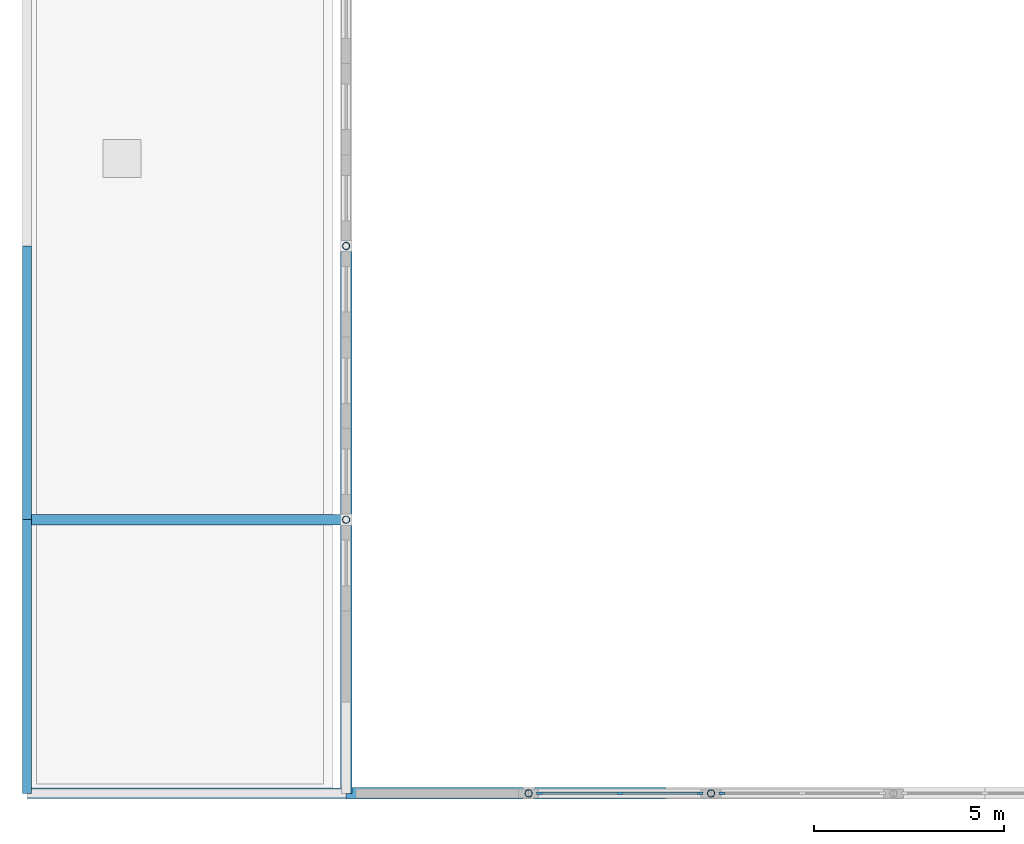
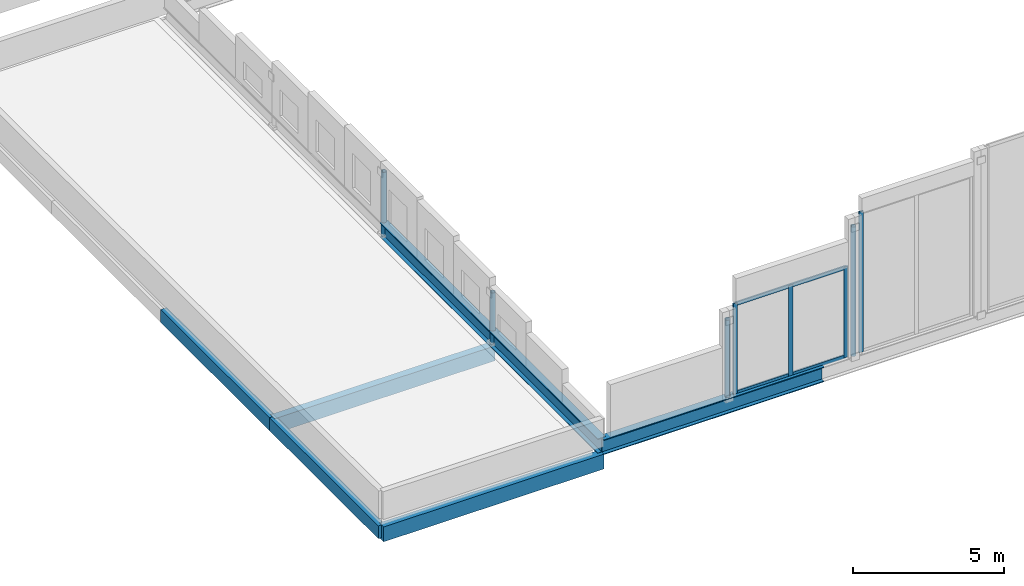
# One storey, part 2 of 34: 10 members, 7 beams, 2 elements without a shape of their own.
"""IFC4 building model written with IfcOpenShell, lengths in metres."""

from ifc_helpers import new_model, si_unit, direction, frame, origin, origin_2d, place, context, subcontext, project, spatial, rectangle, hollow_circle, i_section, extrude, material, material_profile, profile_set, type_object, element, aggregate, save


model = new_model("IFC4")

# Units and contexts
model_context = context("Model", 3, precision=1e-05, world=origin(), true_north=direction((0.0, 1.0)))
body_context = subcontext(model_context, "Body", "Model", "MODEL_VIEW")
ifc_project = project(units=[si_unit("LENGTHUNIT", "METRE"), si_unit("AREAUNIT", "SQUARE_METRE"), si_unit("VOLUMEUNIT", "CUBIC_METRE"), si_unit("PLANEANGLEUNIT", "RADIAN"), si_unit("MASSUNIT", "GRAM", prefix="KILO")], contexts=[model_context])

# Site, building, storey
site_placement = place(None, origin())
site = spatial("IfcSite", under=ifc_project, at=site_placement, CompositionType="ELEMENT")
building_placement = place(site_placement, origin())
building = spatial("IfcBuilding", under=site, at=building_placement, Name="Kahlenmark Community Centre", CompositionType="ELEMENT")
storey_placement = place(building_placement, frame((0.0, 0.0, 17.699951171875)))
storey = spatial("IfcBuildingStorey", under=building, at=storey_placement, Name="L04", CompositionType="ELEMENT", Elevation=17.699951171875)

# Beams
ifc_material_1 = material(Name="Glulam GL32h", Category="wood")
ifc_material_profile_1 = material_profile(ifc_material_1, rectangle(XDim=0.239990234375, YDim=0.52001953125, at=origin_2d()), Name="GL32h 240x520")
ifc_profile_set_1 = profile_set([ifc_material_profile_1], Name="Glulam GL32h")
beam_type_1 = type_object("IfcBeamType", Name="BT-BEAM-GL32h240x520", PredefinedType="BEAM", material=ifc_profile_set_1)
for number, where, z_axis, x_axis, name in (
    (1, (4.0, 8.800048828125, -0.5400390625), (0.0, 1.0, 0.0), (-1.0, 0.0, 0.0), "L04 beam BG-RF520"),
    (2, (4.0, 16.0, -0.5400390625), (0.0, 1.0, 0.0), (-1.0, 0.0, 0.0), "L04 beam BG-RF520"),
):
    element("IfcBeam", number, at=place(storey_placement, frame(where, z_axis=z_axis, x_axis=x_axis)), inside=storey, type_object=beam_type_1, Name=name, PredefinedType="BEAM", context=body_context, shape_type="SweptSolid", body=[
        extrude(rectangle(XDim=0.239990234375, YDim=0.52001953125, at=origin_2d()), origin(), (0.0, 0.0, 1.0), 7.199951171875),
    ])
ifc_material_profile_2 = material_profile(ifc_material_1, rectangle(XDim=0.280029296875, YDim=0.60009765625, at=origin_2d()), Name="GL32h 280x600")
ifc_profile_set_2 = profile_set([ifc_material_profile_2], Name="Glulam GL32h")
beam_type_2 = type_object("IfcBeamType", Name="BT-BEAM-GL32h280x600", PredefinedType="BEAM", material=ifc_profile_set_2)
for number, where, z_axis, x_axis, name in (
    (3, (4.0, 8.800048828125, -0.579833984375), (1.0, 0.0, 0.0), (0.0, 1.0, 0.0), "L04 beam BG-RF600"),
    (4, (4.0, 16.0, -0.579833984375), (1.0, 0.0, 0.0), (0.0, 1.0, 0.0), "L04 beam BG-RF600"),
):
    element("IfcBeam", number, at=place(storey_placement, frame(where, z_axis=z_axis, x_axis=x_axis)), inside=storey, type_object=beam_type_2, Name=name, PredefinedType="BEAM", context=body_context, shape_type="SweptSolid", body=[
        extrude(rectangle(XDim=0.280029296875, YDim=0.60009765625, at=origin_2d()), origin(), (0.0, 0.0, 1.0), 8.39990234375),
    ])
ifc_material_2 = material(Name="Steel S355", Category="steel")
ifc_material_profile_3 = material_profile(ifc_material_2, i_section(OverallWidth=0.300048828125, OverallDepth=0.60009765625, WebThickness=0.015380859375, FlangeThickness=0.030029296875, at=origin_2d()), Name="HEB 600")
ifc_profile_set_3 = profile_set([ifc_material_profile_3], Name="Steel S355")
beam_type_3 = type_object("IfcBeamType", Name="BT-SPANDREL-HEB600", PredefinedType="SPANDREL", material=ifc_profile_set_3)
beam_placement = place(storey_placement, frame((12.39990234375, 8.800048828125, 0.0), z_axis=(1.0, 0.0, 0.0), x_axis=(0.0, 1.0, 0.0)))
element("IfcBeam", 5, at=beam_placement, inside=storey, type_object=beam_type_3, Name="L04 spandrel RB-1", PredefinedType="SPANDREL", context=body_context, shape_type="SweptSolid", body=[
    extrude(i_section(OverallWidth=0.300048828125, OverallDepth=0.60009765625, WebThickness=0.015380859375, FlangeThickness=0.030029296875, at=origin_2d()), origin(), (0.0, 0.0, 1.0), 8.400146484375),
])
for number, where, z_axis, x_axis, name in (
    (6, (12.39990234375, 8.800048828125, 0.0), (0.0, 1.0, 0.0), (-1.0, 0.0, 0.0), "L04 spandrel RB-1"),
    (7, (12.39990234375, 16.0, 0.0), (0.0, 1.0, 0.0), (-1.0, 0.0, 0.0), "L04 spandrel RB-1"),
):
    element("IfcBeam", number, at=place(storey_placement, frame(where, z_axis=z_axis, x_axis=x_axis)), inside=storey, type_object=beam_type_3, Name=name, PredefinedType="SPANDREL", context=body_context, shape_type="SweptSolid", body=[
        extrude(i_section(OverallWidth=0.300048828125, OverallDepth=0.60009765625, WebThickness=0.015380859375, FlangeThickness=0.030029296875, at=origin_2d()), origin(), (0.0, 0.0, 1.0), 7.199951171875),
    ])

# Curtain wall, members
ifc_material_3 = material(Name="Anodised aluminium unitised curtain wall", Category="aluminium")
curtain_wall_type_1 = type_object("IfcCurtainWallType", Name="CWT-UNIT-428X366", PredefinedType="USERDEFINED", material=ifc_material_3)
curtain_wall_1_placement = place(storey_placement, origin())
curtain_wall_1 = element("IfcCurtainWall", 8, at=curtain_wall_1_placement, inside=storey, type_object=curtain_wall_type_1, Name="Unitised curtain wall CW-191", ObjectType="UNITISED CURTAIN WALL", PredefinedType="USERDEFINED")
ifc_material_4 = material(Name="Anodised aluminium 6063-T6", Category="aluminium")
ifc_material_profile_4 = material_profile(ifc_material_4, rectangle(XDim=0.06005859375, YDim=0.159912109375, at=origin_2d()), Name="ALU MULLION 60x160")
ifc_profile_set_4 = profile_set([ifc_material_profile_4], Name="Anodised aluminium 6063-T6")
member_type_1 = type_object("IfcMemberType", Name="MT-MUL-160", PredefinedType="MULLION", material=ifc_profile_set_4)
member_1_placement = place(storey_placement, frame((17.489990234375, 8.800048828125, 0.300048828125), z_axis=(0.0, 0.0, 1.0), x_axis=(0.0, 1.0, 0.0)))
member_1 = element("IfcMember", 9, at=member_1_placement, type_object=member_type_1, Name="CW-191 mullion 1", PredefinedType="MULLION", context=body_context, shape_type="SweptSolid", body=[
    extrude(rectangle(XDim=0.06005859375, YDim=0.159912109375, at=origin_2d()), origin(), (0.0, 0.0, 1.0), 3.6572265625),
])
member_2_placement = place(storey_placement, frame((19.60009765625, 8.800048828125, 0.300048828125), z_axis=(0.0, 0.0, 1.0), x_axis=(0.0, 1.0, 0.0)))
member_2 = element("IfcMember", 10, at=member_2_placement, type_object=member_type_1, Name="CW-191 mullion 2", PredefinedType="MULLION", context=body_context, shape_type="SweptSolid", body=[
    extrude(rectangle(XDim=0.06005859375, YDim=0.159912109375, at=origin_2d()), origin(), (0.0, 0.0, 1.0), 3.6572265625),
])
member_3_placement = place(storey_placement, frame((21.7099609375, 8.800048828125, 0.300048828125), z_axis=(0.0, 0.0, 1.0), x_axis=(0.0, 1.0, 0.0)))
member_3 = element("IfcMember", 11, at=member_3_placement, type_object=member_type_1, Name="CW-191 mullion 3", PredefinedType="MULLION", context=body_context, shape_type="SweptSolid", body=[
    extrude(rectangle(XDim=0.06005859375, YDim=0.159912109375, at=origin_2d()), origin(), (0.0, 0.0, 1.0), 3.6572265625),
])

# Curtain wall, member
curtain_wall_type_2 = type_object("IfcCurtainWallType", Name="CWT-UNIT-428X568", PredefinedType="USERDEFINED", material=ifc_material_3)
curtain_wall_2_placement = place(storey_placement, origin())
curtain_wall_2 = element("IfcCurtainWall", 12, at=curtain_wall_2_placement, inside=storey, type_object=curtain_wall_type_2, Name="Unitised curtain wall CW-192", ObjectType="UNITISED CURTAIN WALL", PredefinedType="USERDEFINED")
member_4_placement = place(storey_placement, frame((22.2900390625, 8.800048828125, 0.300048828125), z_axis=(0.0, 0.0, 1.0), x_axis=(0.0, 1.0, 0.0)))
member_4 = element("IfcMember", 13, at=member_4_placement, type_object=member_type_1, Name="CW-192 mullion 1", PredefinedType="MULLION", context=body_context, shape_type="SweptSolid", body=[
    extrude(rectangle(XDim=0.06005859375, YDim=0.159912109375, at=origin_2d()), origin(), (0.0, 0.0, 1.0), 5.6796875),
])
aggregate(curtain_wall_2, [member_4])

# Members
ifc_material_profile_5 = material_profile(ifc_material_2, hollow_circle(Radius=0.096923828125, WallThickness=0.008056640625, at=origin_2d()), Name="CHS 193.7x8")
ifc_profile_set_5 = profile_set([ifc_material_profile_5], Name="Steel S355")
member_type_2 = type_object("IfcMemberType", Name="MT-STRUT-CHS193.7x8", PredefinedType="STRUT", material=ifc_profile_set_5)
member_5_placement = place(storey_placement, frame((12.39990234375, 16.0, -0.300048828125), z_axis=(0.0, 0.0, 1.0), x_axis=(1.0, 0.0, 0.0)))
element("IfcMember", 14, at=member_5_placement, inside=storey, type_object=member_type_2, Name="L04 strut GS-POST", PredefinedType="STRUT", context=body_context, shape_type="SweptSolid", body=[
    extrude(hollow_circle(Radius=0.096923828125, WallThickness=0.008056640625, at=origin_2d()), origin(), (0.0, 0.0, 1.0), 2.1328125),
])
member_6_placement = place(storey_placement, frame((12.39990234375, 23.199951171875, -0.300048828125), z_axis=(0.0, 0.0, 1.0), x_axis=(1.0, 0.0, 0.0)))
element("IfcMember", 15, at=member_6_placement, inside=storey, type_object=member_type_2, Name="L04 strut GS-POST", PredefinedType="STRUT", context=body_context, shape_type="SweptSolid", body=[
    extrude(hollow_circle(Radius=0.096923828125, WallThickness=0.008056640625, at=origin_2d()), origin(), (0.0, 0.0, 1.0), 2.6337890625),
])
member_7_placement = place(storey_placement, frame((17.199951171875, 8.800048828125, 0.280029296875), z_axis=(0.0, 0.0, 1.0), x_axis=(1.0, 0.0, 0.0)))
element("IfcMember", 16, at=member_7_placement, inside=storey, type_object=member_type_2, Name="L04 strut GS-POST", PredefinedType="STRUT", context=body_context, shape_type="SweptSolid", body=[
    extrude(hollow_circle(Radius=0.096923828125, WallThickness=0.008056640625, at=origin_2d()), origin(), (0.0, 0.0, 1.0), 3.137939453125),
])
member_8_placement = place(storey_placement, frame((22.0, 8.800048828125, 0.280029296875), z_axis=(0.0, 0.0, 1.0), x_axis=(1.0, 0.0, 0.0)))
element("IfcMember", 17, at=member_8_placement, inside=storey, type_object=member_type_2, Name="L04 strut GS-POST", PredefinedType="STRUT", context=body_context, shape_type="SweptSolid", body=[
    extrude(hollow_circle(Radius=0.096923828125, WallThickness=0.008056640625, at=origin_2d()), origin(), (0.0, 0.0, 1.0), 5.216552734375),
])

# Member
ifc_material_profile_6 = material_profile(ifc_material_4, rectangle(XDim=0.06005859375, YDim=0.139892578125, at=origin_2d()), Name="ALU TRANSOM 60x140")
ifc_profile_set_6 = profile_set([ifc_material_profile_6], Name="Anodised aluminium 6063-T6")
member_type_3 = type_object("IfcMemberType", Name="MT-TRN-140", PredefinedType="USERDEFINED", material=ifc_profile_set_6)
member_9_placement = place(storey_placement, frame((17.489990234375, 8.800048828125, 0.340087890625), z_axis=(1.0, 0.0, 0.0), x_axis=(0.0, 1.0, 0.0)))
member_9 = element("IfcMember", 18, at=member_9_placement, type_object=member_type_3, Name="CW-191 transom 1", ObjectType="TRANSOM", PredefinedType="USERDEFINED", context=body_context, shape_type="SweptSolid", body=[
    extrude(rectangle(XDim=0.06005859375, YDim=0.139892578125, at=origin_2d()), origin(), (0.0, 0.0, 1.0), 4.219970703125),
])

member_10_placement = place(storey_placement, frame((17.489990234375, 8.800048828125, 3.917236328125), z_axis=(1.0, 0.0, 0.0), x_axis=(0.0, 1.0, 0.0)))
member_10 = element("IfcMember", 19, at=member_10_placement, type_object=member_type_3, Name="CW-191 transom 2", ObjectType="TRANSOM", PredefinedType="USERDEFINED", context=body_context, shape_type="SweptSolid", body=[
    extrude(rectangle(XDim=0.06005859375, YDim=0.139892578125, at=origin_2d()), origin(), (0.0, 0.0, 1.0), 4.219970703125),
])

aggregate(curtain_wall_1, [member_1, member_2, member_3, member_9, member_10])

save(model, "model.ifc")
